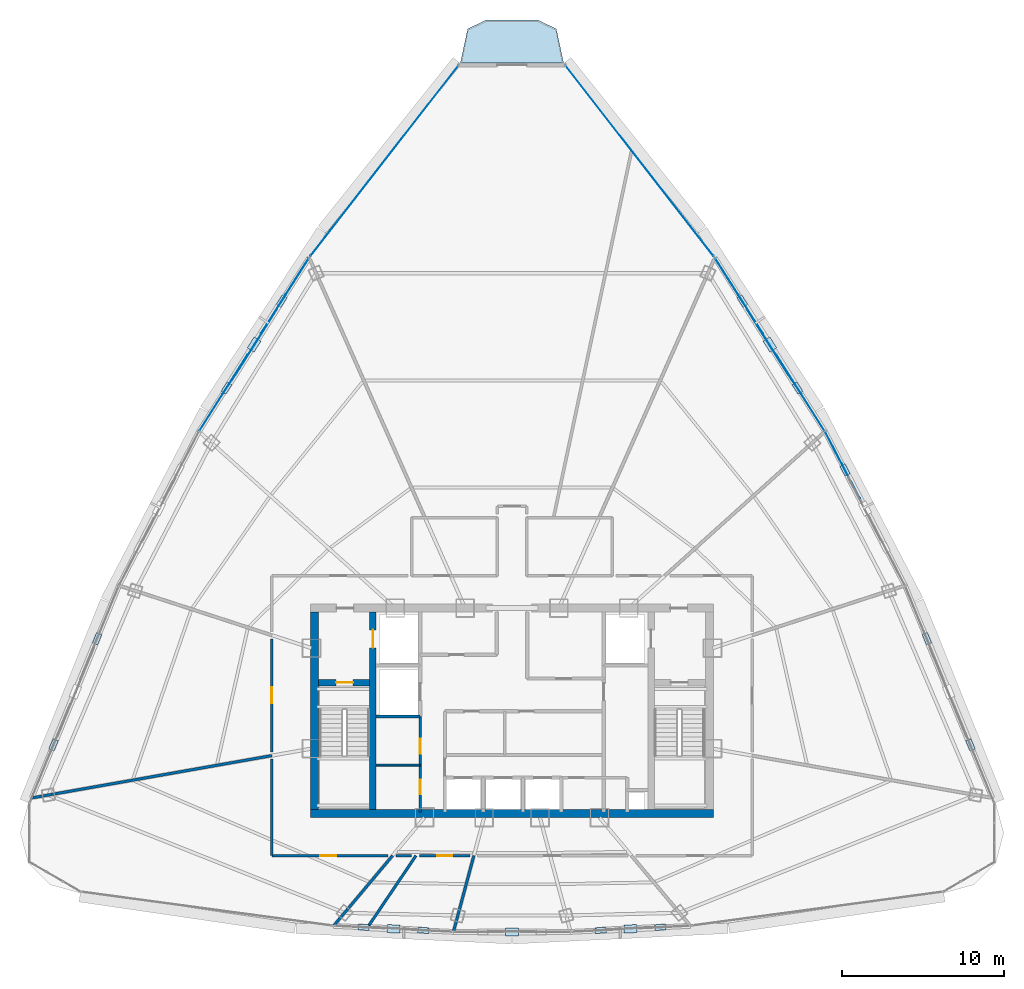
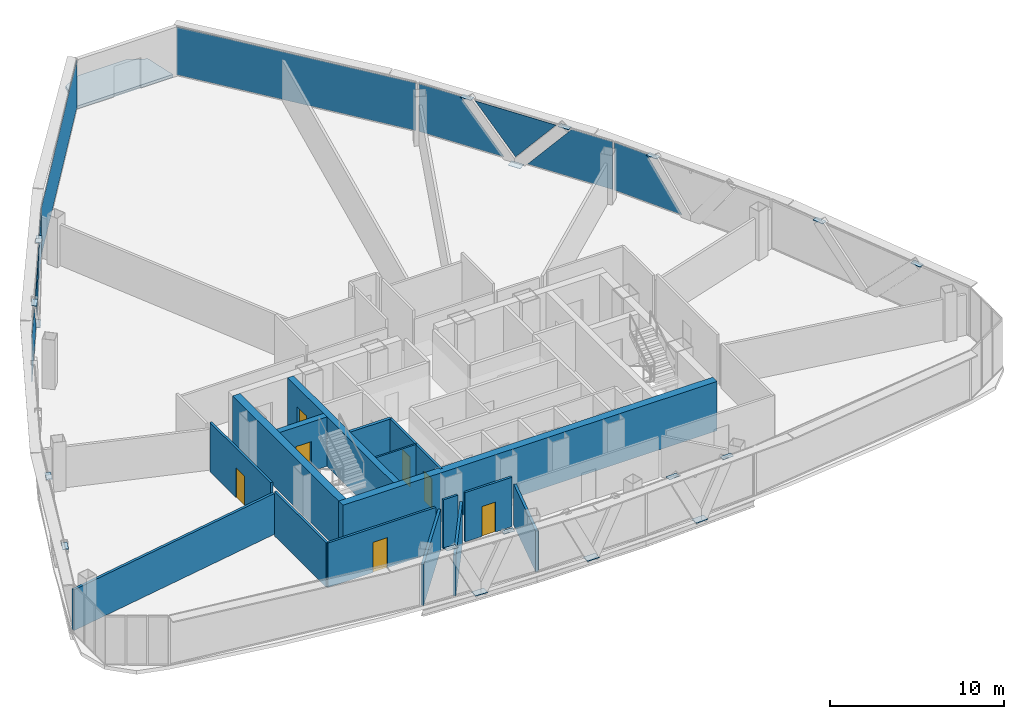
# One storey, part 28 of 33: 27 plates, 16 walls, 7 doors, 1 slab, 7 openings, 5 elements without a shape of their own.
"""IFC4 building model written with IfcOpenShell, lengths in metres."""

import ifcopenshell
import ifcopenshell.guid

model = None  # the IFC model being written
_history = None  # IfcOwnerHistory: only IFC2X3 demands one
_inside = {}  # id of a spatial element -> (the spatial element, [elements in it])
_under = {}  # id of a project, library or spatial element -> (it, [spatial elements below it])
_declared = {}  # id of a project -> (the project, [libraries it declares])
_typed = {}  # id of a type object -> (the type object, [elements of that type])
_made_of = {}  # id of a material, layer set ... -> (it, [elements and type objects made of it])


def new_model(schema):
    """Start an empty IFC model of exactly this schema.

    Asked for "IFC4X3", IfcOpenShell would pick the latest addendum, in which some entities
    have other attributes; the version numbers below select the first issue.
    IFC2X3 requires an IfcOwnerHistory on every rooted entity: one is made here for all.
    """
    global model, _history
    if schema == "IFC4X3":
        model = ifcopenshell.file(schema_version=(4, 3, 0, 0))
    else:
        model = ifcopenshell.file(schema=schema)
    _inside.clear()
    _under.clear()
    _declared.clear()
    _typed.clear()
    _made_of.clear()
    _history = None
    if model.schema == "IFC2X3":
        org = make("IfcOrganization", Name="unknown")
        user = make(
            "IfcPersonAndOrganization",
            ThePerson=make("IfcPerson", FamilyName="unknown"),
            TheOrganization=org,
        )
        app = make(
            "IfcApplication",
            ApplicationDeveloper=org,
            Version="unknown",
            ApplicationFullName="unknown",
            ApplicationIdentifier="unknown",
        )
        _history = make(
            "IfcOwnerHistory",
            OwningUser=user,
            OwningApplication=app,
            ChangeAction="ADDED",
            CreationDate=0,
        )
    return model


def make(cls, **values):
    """One entity of the class cls with the attributes given. An attribute that is None is left unset."""
    return model.create_entity(
        cls, **{name: value for name, value in values.items() if value is not None}
    )


def rooted(cls, **values):
    """An entity with a GlobalId (a new one), such as an element, a storey or a relation."""
    return make(cls, GlobalId=ifcopenshell.guid.new(), OwnerHistory=_history, **values)


def si_unit(unit_type, name, prefix=None):
    """IfcSIUnit, for example si_unit("LENGTHUNIT", "METRE", prefix="MILLI")."""
    return make("IfcSIUnit", UnitType=unit_type, Prefix=prefix, Name=name)


def assignment(units):
    """IfcUnitAssignment: the units of a project."""
    return None if units is None else make("IfcUnitAssignment", Units=units)


def point(xyz):
    """IfcCartesianPoint."""
    return None if xyz is None else make("IfcCartesianPoint", Coordinates=xyz)


def direction(xyz):
    """IfcDirection."""
    return None if xyz is None else make("IfcDirection", DirectionRatios=xyz)


def frame(location, z_axis=None, x_axis=None):
    """IfcAxis2Placement3D, a coordinate frame: its origin and axes. An axis left out is left unset."""
    return make(
        "IfcAxis2Placement3D",
        Location=point(location),
        Axis=direction(z_axis),
        RefDirection=direction(x_axis),
    )


def frame_2d(location, x_axis=None):
    """IfcAxis2Placement2D, a coordinate frame in the plane: its origin and x axis."""
    return make(
        "IfcAxis2Placement2D", Location=point(location), RefDirection=direction(x_axis)
    )


def origin():
    """The frame at (0, 0, 0) with its axes left unset."""
    return frame((0.0, 0.0, 0.0))


def origin_with_axes():
    """The frame at (0, 0, 0) with the z axis (0, 0, 1) and the x axis (1, 0, 0) written out."""
    return frame((0.0, 0.0, 0.0), z_axis=(0.0, 0.0, 1.0), x_axis=(1.0, 0.0, 0.0))


def origin_2d():
    """The frame at (0, 0) in the plane with its x axis left unset."""
    return frame_2d((0.0, 0.0))


def place(relative_to, where):
    """IfcLocalPlacement: puts the frame where relative to a parent placement (None: the world)."""
    return make(
        "IfcLocalPlacement", PlacementRelTo=relative_to, RelativePlacement=where
    )


def context(
    kind, dimensions, precision=None, world=None, true_north=None, identifier=None
):
    """IfcGeometricRepresentationContext, for example the 3D "Model" context."""
    return make(
        "IfcGeometricRepresentationContext",
        ContextIdentifier=identifier,
        ContextType=kind,
        CoordinateSpaceDimension=dimensions,
        Precision=precision,
        WorldCoordinateSystem=world,
        TrueNorth=true_north,
    )


def subcontext(parent, identifier, kind, view, scale=None):
    """IfcGeometricRepresentationSubContext, for example "Body" below "Model"."""
    return make(
        "IfcGeometricRepresentationSubContext",
        ContextIdentifier=identifier,
        ContextType=kind,
        ParentContext=parent,
        TargetScale=scale,
        TargetView=view,
    )


def project(units=None, contexts=None):
    """IfcProject with its units and contexts."""
    return rooted(
        "IfcProject",
        Name="project",
        RepresentationContexts=contexts,
        UnitsInContext=assignment(units),
    )


def spatial(cls, under=None, at=None, **own):
    """A site, building, storey or space (cls), placed at a placement, below another one or the project."""
    s = rooted(cls, ObjectPlacement=at, **own)
    if under is not None:
        _under.setdefault(under.id(), (under, []))[1].append(s)
    return s


def polyline(points):
    """IfcPolyline through the points."""
    return make("IfcPolyline", Points=[point(p) for p in points])


def profile(cls, at=None, kind="AREA", **sizes):
    """A parametric profile (cls). Its sizes go by their IFC names, for example OverallWidth=200.0."""
    return make(cls, ProfileType=kind, Position=at, **sizes)


def rectangle(**sizes):
    """IfcRectangleProfileDef."""
    return profile("IfcRectangleProfileDef", **sizes)


def outline(outer, holes=None, kind="AREA"):
    """IfcArbitraryClosedProfileDef: a profile drawn as a closed curve; with holes, ...WithVoids."""
    if holes is None:
        return make("IfcArbitraryClosedProfileDef", ProfileType=kind, OuterCurve=outer)
    return make(
        "IfcArbitraryProfileDefWithVoids",
        ProfileType=kind,
        OuterCurve=outer,
        InnerCurves=holes,
    )


def extrude(swept, where, along, depth):
    """IfcExtrudedAreaSolid: the profile swept, set in the frame where, extruded along a direction by depth."""
    return make(
        "IfcExtrudedAreaSolid",
        SweptArea=swept,
        Position=where,
        ExtrudedDirection=direction(along),
        Depth=depth,
    )


def shape(context_of_items, identifier, shape_type, items):
    """IfcShapeRepresentation: the items that make up one representation, for example the "Body"."""
    return make(
        "IfcShapeRepresentation",
        ContextOfItems=context_of_items,
        RepresentationIdentifier=identifier,
        RepresentationType=shape_type,
        Items=items,
    )


def source(mapping_origin, context_of_items, identifier, shape_type, items):
    """IfcRepresentationMap: a shape defined once, which mapped items show again and again."""
    return make(
        "IfcRepresentationMap",
        MappingOrigin=mapping_origin,
        MappedRepresentation=shape(context_of_items, identifier, shape_type, items),
    )


def transform(
    local_origin,
    x_axis=None,
    y_axis=None,
    z_axis=None,
    scale=None,
    scale2=None,
    scale3=None,
    uniform=True,
):
    """IfcCartesianTransformationOperator3D, or its non-uniform kind. x_axis, y_axis, z_axis: its Axis1, 2, 3."""
    if uniform:
        return make(
            "IfcCartesianTransformationOperator3D",
            Axis1=direction(x_axis),
            Axis2=direction(y_axis),
            LocalOrigin=point(local_origin),
            Scale=scale,
            Axis3=direction(z_axis),
        )
    return make(
        "IfcCartesianTransformationOperator3DnonUniform",
        Axis1=direction(x_axis),
        Axis2=direction(y_axis),
        LocalOrigin=point(local_origin),
        Scale=scale,
        Axis3=direction(z_axis),
        Scale2=scale2,
        Scale3=scale3,
    )


def mapped(mapping_source, mapping_target):
    """IfcMappedItem: shows the shape of a source again, moved by a transform."""
    return make(
        "IfcMappedItem", MappingSource=mapping_source, MappingTarget=mapping_target
    )


def material(Name=None, Category=None):
    """IfcMaterial."""
    return make("IfcMaterial", Name=Name, Category=Category)


def layer(
    of_material, thickness, ventilated=None, Name=None, Category=None, Priority=None
):
    """IfcMaterialLayer: one layer of a wall or slab, of a material (None: an air gap)."""
    return make(
        "IfcMaterialLayer",
        Material=of_material,
        LayerThickness=thickness,
        IsVentilated=ventilated,
        Name=Name,
        Category=Category,
        Priority=Priority,
    )


def layer_set(layers, Name=None):
    """IfcMaterialLayerSet."""
    return make("IfcMaterialLayerSet", MaterialLayers=layers, LayerSetName=Name)


def made_of(thing, what):
    """Note that an element or type object is made of a material, layer set ...; save() writes the relation."""
    if what is not None:
        _made_of.setdefault(what.id(), (what, []))[1].append(thing)
    return thing


def type_object(cls, material=None, **own):
    """A type object (cls), such as IfcWallType, which elements share."""
    return made_of(rooted(cls, **own), material)


def element(
    cls,
    number,
    at=None,
    inside=None,
    cuts=None,
    type_object=None,
    material=None,
    context=None,
    identifier="Body",
    shape_type=None,
    held_by="IfcProductDefinitionShape",
    body=None,
    shapes=None,
    **own,
):
    """One element of the class cls, such as IfcWall. Its Tag is "e" and its number.

    at: its placement. inside: the storey or other place that contains it. cuts: it is an
    opening in that element (IfcRelVoidsElement). A single representation is given by context,
    identifier, shape_type and body (its items); several are given by shapes. held_by: the class
    of the entity that holds the representations. save() writes the other relations.
    """
    e = rooted(cls, Tag="e%d" % number, ObjectPlacement=at, **own)
    if body is not None:
        shapes = [shape(context, identifier, shape_type, body)]
    if shapes is not None:
        e.Representation = make(held_by, Representations=shapes)
    if inside is not None:
        _inside.setdefault(inside.id(), (inside, []))[1].append(e)
    if cuts is not None:
        rooted(
            "IfcRelVoidsElement", RelatingBuildingElement=cuts, RelatedOpeningElement=e
        )
    if type_object is not None:
        _typed.setdefault(type_object.id(), (type_object, []))[1].append(e)
    return made_of(e, material)


def fill(opening, filler):
    """IfcRelFillsElement: the door or window that sits in an opening."""
    return rooted(
        "IfcRelFillsElement",
        RelatingOpeningElement=opening,
        RelatedBuildingElement=filler,
    )


def aggregate(whole, parts):
    """IfcRelAggregates: a whole, such as a stair, and the parts it consists of."""
    return rooted("IfcRelAggregates", RelatingObject=whole, RelatedObjects=parts)


def save(model, path):
    """Write the relations noted so far, then the file.

    IfcRelAggregates (storeys below a building ...), IfcRelContainedInSpatialStructure (elements
    in a storey), IfcRelDefinesByType, IfcRelAssociatesMaterial and IfcRelDeclares: one each for
    every whole, place, type object, material and project.
    """
    for whole, parts in _under.values():
        aggregate(whole, parts)
    for where, things in _inside.values():
        rooted(
            "IfcRelContainedInSpatialStructure",
            RelatedElements=things,
            RelatingStructure=where,
        )
    for kind, things in _typed.values():
        rooted("IfcRelDefinesByType", RelatedObjects=things, RelatingType=kind)
    for what, things in _made_of.values():
        rooted("IfcRelAssociatesMaterial", RelatedObjects=things, RelatingMaterial=what)
    for by, libraries in _declared.values():
        rooted("IfcRelDeclares", RelatingContext=by, RelatedDefinitions=libraries)
    model.write(path)


model = new_model("IFC4")

# Units and contexts
model_context = context("Model", 3, precision=1e-05, world=origin(), true_north=direction((0.0, 1.0)))
body_context = subcontext(model_context, "Body", "Model", "MODEL_VIEW")
ifc_project = project(units=[si_unit("LENGTHUNIT", "METRE"), si_unit("AREAUNIT", "SQUARE_METRE"), si_unit("VOLUMEUNIT", "CUBIC_METRE"), si_unit("PLANEANGLEUNIT", "RADIAN"), si_unit("MASSUNIT", "GRAM", prefix="KILO"), si_unit("THERMODYNAMICTEMPERATUREUNIT", "KELVIN"), si_unit("POWERUNIT", "WATT")], contexts=[model_context])

# Site, building, storey
site_placement = place(None, origin())
site = spatial("IfcSite", under=ifc_project, at=site_placement, CompositionType="ELEMENT")
building_placement = place(site_placement, origin())
building = spatial("IfcBuilding", under=site, at=building_placement, Name="Yunzhuo Pagoda Commons", CompositionType="ELEMENT")
storey_placement = place(building_placement, frame((0.0, 0.0, 311.1298828125)))
storey = spatial("IfcBuildingStorey", under=building, at=storey_placement, Name="L78", CompositionType="ELEMENT", Elevation=311.1298828125)

# Curtain wall, plate
ifc_material_1 = material(Name="Anodized aluminium 6063-T6", Category="aluminium")
ifc_layer_1 = layer(ifc_material_1, 0.139892578125)
ifc_layer_set_1 = layer_set([ifc_layer_1], Name="Anodized aluminium 6063-T6")
curtain_wall_type = type_object("IfcCurtainWallType", Name="CW-HI High-Zone Ribbon Curtain Wall", PredefinedType="NOTDEFINED", material=ifc_layer_set_1)
curtain_wall_1_placement = place(storey_placement, origin())
curtain_wall_1 = element("IfcCurtainWall", 1, at=curtain_wall_1_placement, inside=storey, type_object=curtain_wall_type, Name="L78 curtain wall CW-L78-F2B3", PredefinedType="NOTDEFINED")
ifc_material_2 = material(Name="Tempered low-e double glazing", Category="glass")
ifc_layer_2 = layer(ifc_material_2, 0.02587890625)
ifc_layer_set_2 = layer_set([ifc_layer_2], Name="Tempered low-e double glazing")
plate_type_1 = type_object("IfcPlateType", Name="CW-HI-P Low-E Double Glazing 26", PredefinedType="CURTAIN_PANEL", material=ifc_layer_set_2)
plate_1_placement = place(storey_placement, frame((68.431640625, 49.018798828125, 1.735107421875), z_axis=(0.887531158433, 0.460747699735, 0.0), x_axis=(-0.460747699735, 0.887531158433, 0.0)))
plate_1 = element("IfcPlate", 2, at=plate_1_placement, type_object=plate_type_1, Name="CW panel 1.1 lite 3", PredefinedType="CURTAIN_PANEL", context=body_context, shape_type="SweptSolid", body=[
    extrude(outline(polyline([(-2.306884765625, -1.679931640625), (2.306884765625, -1.679931640625), (2.306884765625, 1.679931640625), (0.111083984375, 1.679931640625), (-2.306884765625, -1.679931640625)])), origin(), (0.0, 0.0, 1.0), 0.028076171875),
])
aggregate(curtain_wall_1, [plate_1])

# Curtain wall, plates
curtain_wall_2_placement = place(storey_placement, origin())
curtain_wall_2 = element("IfcCurtainWall", 3, at=curtain_wall_2_placement, inside=storey, type_object=curtain_wall_type, Name="L78 curtain wall CW-L78-F2B4", PredefinedType="NOTDEFINED")
plate_2_placement = place(storey_placement, frame((65.828125, 53.505126953125, 1.735107421875), z_axis=(0.844512740935, 0.535535461383, 0.0), x_axis=(-0.535535461383, 0.844512740935, 0.0)))
plate_2 = element("IfcPlate", 4, at=plate_2_placement, type_object=plate_type_1, Name="CW panel 1.1 lite 1", PredefinedType="CURTAIN_PANEL", context=body_context, shape_type="SweptSolid", body=[
    extrude(outline(polyline([(-2.76611328125, -1.679931640625), (2.76611328125, -1.679931640625), (-0.098388671875, 1.679931640625), (-2.76611328125, 1.679931640625), (-2.76611328125, -1.679931640625)])), origin(), (0.0, 0.0, 1.0), 0.028076171875),
])
plate_3_placement = place(storey_placement, frame((63.91015625, 56.4736328125, 1.87060546875), z_axis=(0.844512740935, 0.535535461383, 0.0), x_axis=(-0.535535461383, 0.844512740935, 0.0)))
plate_3 = element("IfcPlate", 5, at=plate_3_placement, type_object=plate_type_1, Name="CW panel 1.1 lite 2", PredefinedType="CURTAIN_PANEL", context=body_context, shape_type="SweptSolid", body=[
    extrude(outline(polyline([(-2.6337890625, 1.544677734375), (0.0, -1.544677734375), (2.6337890625, 1.544677734375), (-2.6337890625, 1.544677734375)])), origin(), (0.0, 0.0, 1.0), 0.028076171875),
])
plate_4_placement = place(storey_placement, frame((62.04296875, 59.47412109375, 1.735107421875), z_axis=(0.844512740935, 0.535535461383, 0.0), x_axis=(-0.535535461383, 0.844512740935, 0.0)))
plate_4 = element("IfcPlate", 6, at=plate_4_placement, type_object=plate_type_1, Name="CW panel 1.1 lite 3", PredefinedType="CURTAIN_PANEL", context=body_context, shape_type="SweptSolid", body=[
    extrude(outline(polyline([(-2.76611328125, -1.679931640625), (2.76611328125, -1.679931640625), (2.76611328125, 1.679931640625), (0.098388671875, 1.679931640625), (-2.76611328125, -1.679931640625)])), origin(), (0.0, 0.0, 1.0), 0.028076171875),
])
aggregate(curtain_wall_2, [plate_2, plate_3, plate_4])

curtain_wall_3_placement = place(storey_placement, origin())
curtain_wall_3 = element("IfcCurtainWall", 7, at=curtain_wall_3_placement, inside=storey, type_object=curtain_wall_type, Name="L78 curtain wall CW-L78-F3B2", PredefinedType="NOTDEFINED")
plate_5_placement = place(storey_placement, frame((33.95703125, 59.47412109375, 1.735107421875), z_axis=(-0.844512740935, 0.535535461383, 0.0), x_axis=(-0.535535461383, -0.844512740935, 0.0)))
plate_5 = element("IfcPlate", 8, at=plate_5_placement, type_object=plate_type_1, Name="CW panel 1.1 lite 1", PredefinedType="CURTAIN_PANEL", context=body_context, shape_type="SweptSolid", body=[
    extrude(outline(polyline([(-2.76611328125, -1.679931640625), (2.76611328125, -1.679931640625), (-0.098388671875, 1.679931640625), (-2.76611328125, 1.679931640625), (-2.76611328125, -1.679931640625)])), origin(), (0.0, 0.0, 1.0), 0.028076171875),
])
plate_6_placement = place(storey_placement, frame((32.08984375, 56.4736328125, 1.87060546875), z_axis=(-0.844512740935, 0.535535461383, 0.0), x_axis=(-0.535535461383, -0.844512740935, 0.0)))
plate_6 = element("IfcPlate", 9, at=plate_6_placement, type_object=plate_type_1, Name="CW panel 1.1 lite 2", PredefinedType="CURTAIN_PANEL", context=body_context, shape_type="SweptSolid", body=[
    extrude(outline(polyline([(-2.6337890625, 1.544677734375), (0.0, -1.544677734375), (2.6337890625, 1.544677734375), (-2.6337890625, 1.544677734375)])), origin(), (0.0, 0.0, 1.0), 0.028076171875),
])
plate_7_placement = place(storey_placement, frame((30.171875, 53.505126953125, 1.735107421875), z_axis=(-0.844512740935, 0.535535461383, 0.0), x_axis=(-0.535535461383, -0.844512740935, 0.0)))
plate_7 = element("IfcPlate", 10, at=plate_7_placement, type_object=plate_type_1, Name="CW panel 1.1 lite 3", PredefinedType="CURTAIN_PANEL", context=body_context, shape_type="SweptSolid", body=[
    extrude(outline(polyline([(-2.76611328125, -1.679931640625), (2.76611328125, -1.679931640625), (2.76611328125, 1.679931640625), (0.098388671875, 1.679931640625), (-2.76611328125, -1.679931640625)])), origin(), (0.0, 0.0, 1.0), 0.028076171875),
])
aggregate(curtain_wall_3, [plate_5, plate_6, plate_7])

# Slab
ifc_material_3 = material(Name="Concrete C40", Category="concrete")
ifc_layer_3 = layer(ifc_material_3, 0.199951171875)
ifc_layer_set_3 = layer_set([ifc_layer_3], Name="Concrete C40")
slab_type = type_object("IfcSlabType", Name="SL-BAL Vertex Balcony Deck Slab 200", PredefinedType="FLOOR", material=ifc_layer_set_3)
slab_placement = place(storey_placement, frame((0.0, 0.0, -0.199951171875)))
element("IfcSlab", 11, at=slab_placement, inside=storey, type_object=slab_type, Name="L78 corner balcony V3", PredefinedType="FLOOR", context=body_context, shape_type="SweptSolid", body=[
    extrude(outline(polyline([(51.190673828125, 73.9208984375), (44.809326171875, 73.9208984375), (45.25927734375, 76.015869140625), (46.40478515625, 76.56591796875), (49.59521484375, 76.56591796875), (50.74072265625, 76.015869140625), (51.190673828125, 73.9208984375)])), origin(), (0.0, 0.0, 1.0), 0.199951171875),
])

# Plates
ifc_material_4 = material(Name="Structural steel Q355B", Category="steel")
ifc_layer_4 = layer(ifc_material_4, 0.028076171875)
ifc_layer_set_4 = layer_set([ifc_layer_4], Name="Structural steel Q355B")
plate_type_2 = type_object("IfcPlateType", Name="SP-ND1 Lattice Node Cap Plate 800x500x28", PredefinedType="USERDEFINED", material=ifc_layer_set_4)
shared_shape_1 = source(origin(), body_context, "Body", "SweptSolid", [
    extrude(rectangle(XDim=0.800048828125, YDim=0.5, at=origin_2d()), origin(), (0.0, 0.0, 1.0), 0.028076171875),
])
for number, where, z_axis, x_axis, name in (
    (12, (40.6748046875, 20.369384765625, -0.27392578125), (0.0, 0.0, 1.0), (0.998714053628, -0.050697525446, 0.0), "L78 diamond node plate F1.1A"),
    (13, (48.0, 20.181396484375, -0.27392578125), (0.0, 0.0, 1.0), (1.0, 0.0, 0.0), "L78 diamond node plate F1.2A"),
    (14, (55.3251953125, 20.369384765625, -0.27392578125), (0.0, 0.0, 1.0), (0.998714053628, 0.050697525446, 0.0), "L78 diamond node plate F1.3A"),
    (15, (63.947509765625, 56.497314453125, -0.27392578125), (0.0, 0.0, 1.0), (-0.535532036295, 0.844514912895, 0.0), "L78 diamond node plate F2.3A"),
    (16, (32.052490234375, 56.497314453125, -0.27392578125), (0.0, 0.0, 1.0), (-0.535532036295, -0.844514912895, 0.0), "L78 diamond node plate F3.1A"),
):
    element("IfcPlate", number, at=place(storey_placement, frame(where, z_axis=z_axis, x_axis=x_axis)), inside=storey, type_object=plate_type_2, Name=name, ObjectType="STIFFENER_PLATE", PredefinedType="USERDEFINED", context=body_context, shape_type="MappedRepresentation", body=[
        mapped(shared_shape_1, transform((0.0, 0.0, 0.0), scale=1.0)),
    ])
shared_shape_2 = source(origin(), body_context, "Body", "SweptSolid", [
    extrude(rectangle(XDim=0.699951171875, YDim=0.35009765625, at=origin_2d()), origin(), (0.0, 0.0, 1.0), 0.035888671875),
])
for number, where, z_axis, x_axis, name in (
    (17, (38.8232421875, 20.463134765625, 3.43212890625), (0.0, 0.0, 1.0), (0.998714053628, -0.050697525446, 0.0), "L78 setback lattice tie plate F1.1L"),
    (18, (42.526123046875, 20.275390625, 3.43212890625), (0.0, 0.0, 1.0), (0.998714053628, -0.050697525446, 0.0), "L78 setback lattice tie plate F1.1R"),
    (19, (53.473876953125, 20.275390625, 3.43212890625), (0.0, 0.0, 1.0), (0.998714053628, 0.050697525446, 0.0), "L78 setback lattice tie plate F1.3L"),
    (20, (57.1767578125, 20.463134765625, 3.43212890625), (0.0, 0.0, 1.0), (0.998714053628, 0.050697525446, 0.0), "L78 setback lattice tie plate F1.3R"),
    (21, (76.34716796875, 31.746826171875, 3.43212890625), (0.0, 0.0, 1.0), (-0.379988979105, 0.92499101388, 0.0), "L78 setback lattice tie plate F2.1L"),
    (22, (73.649658203125, 38.31298828125, 3.43212890625), (0.0, 0.0, 1.0), (-0.379988979105, 0.92499101388, 0.0), "L78 setback lattice tie plate F2.1R"),
    (23, (68.590576171875, 48.743408203125, 3.43212890625), (0.0, 0.0, 1.0), (-0.460742034444, 0.887534099456, 0.0), "L78 setback lattice tie plate F2.2R"),
    (24, (65.650390625, 53.8115234375, 3.43212890625), (0.0, 0.0, 1.0), (-0.535532036295, 0.844514912895, 0.0), "L78 setback lattice tie plate F2.3L"),
    (25, (62.244384765625, 59.182861328125, 3.43212890625), (0.0, 0.0, 1.0), (-0.535532036295, 0.844514912895, 0.0), "L78 setback lattice tie plate F2.3R"),
    (26, (33.755615234375, 59.182861328125, 3.43212890625), (0.0, 0.0, 1.0), (-0.535532036295, -0.844514912895, 0.0), "L78 setback lattice tie plate F3.1L"),
    (27, (30.349365234375, 53.8115234375, 3.43212890625), (0.0, 0.0, 1.0), (-0.535532036295, -0.844514912895, 0.0), "L78 setback lattice tie plate F3.1R"),
    (28, (22.350341796875, 38.31298828125, 3.43212890625), (0.0, 0.0, 1.0), (-0.379988979105, -0.92499101388, 0.0), "L78 setback lattice tie plate F3.3L"),
    (29, (19.65283203125, 31.746826171875, 3.43212890625), (0.0, 0.0, 1.0), (-0.379988979105, -0.92499101388, 0.0), "L78 setback lattice tie plate F3.3R"),
):
    element("IfcPlate", number, at=place(storey_placement, frame(where, z_axis=z_axis, x_axis=x_axis)), inside=storey, type_object=plate_type_2, Name=name, ObjectType="STIFFENER_PLATE", PredefinedType="USERDEFINED", context=body_context, shape_type="MappedRepresentation", body=[
        mapped(shared_shape_2, transform((0.0, 0.0, 0.0), scale=1.0)),
    ])

# Curtain wall, plate
curtain_wall_4_placement = place(storey_placement, origin())
curtain_wall_4 = element("IfcCurtainWall", 30, at=curtain_wall_4_placement, inside=storey, type_object=curtain_wall_type, Name="L78 curtain wall CW-L78-F2B5", PredefinedType="NOTDEFINED")
shared_shape_3 = source(origin(), body_context, "Body", "SweptSolid", [
    extrude(rectangle(XDim=14.89453125, YDim=0.028076171875, at=origin_2d()), origin(), (0.0, 0.0, 1.0), 3.360107421875),
])
plate_8_placement = place(storey_placement, frame((55.890625, 67.856689453125, 0.05517578125), z_axis=(0.0, 0.0, 1.0), x_axis=(-0.61338669039, 0.789782734714, 0.0)))
plate_8 = element("IfcPlate", 31, at=plate_8_placement, type_object=plate_type_1, Name="CW panel 1.1", PredefinedType="CURTAIN_PANEL", context=body_context, shape_type="MappedRepresentation", body=[
    mapped(shared_shape_3, transform((0.0, 0.0, 0.0), scale=1.0)),
])
aggregate(curtain_wall_4, [plate_8])

curtain_wall_5_placement = place(storey_placement, origin())
curtain_wall_5 = element("IfcCurtainWall", 32, at=curtain_wall_5_placement, inside=storey, type_object=curtain_wall_type, Name="L78 curtain wall CW-L78-F3B1", PredefinedType="NOTDEFINED")
plate_9_placement = place(storey_placement, frame((40.109375, 67.856689453125, 0.05517578125), z_axis=(0.0, 0.0, 1.0), x_axis=(-0.61338669039, -0.789782734714, 0.0)))
plate_9 = element("IfcPlate", 33, at=plate_9_placement, type_object=plate_type_1, Name="CW panel 1.1", PredefinedType="CURTAIN_PANEL", context=body_context, shape_type="MappedRepresentation", body=[
    mapped(shared_shape_3, transform((0.0, 0.0, 0.0), scale=1.0)),
])
aggregate(curtain_wall_5, [plate_9])

# Walls
ifc_material_5 = material(Name="Concrete C50", Category="concrete")
ifc_layer_5 = layer(ifc_material_5, 0.5)
ifc_layer_set_5 = layer_set([ifc_layer_5], Name="Concrete C50")
wall_type_1 = type_object("IfcWallType", Name="W-C03 Upper Core Shear Wall 500", PredefinedType="SHEAR", material=ifc_layer_set_5)
wall_1_placement = place(storey_placement, frame((35.550048828125, 27.5, 0.0), z_axis=(0.0, 0.0, 1.0), x_axis=(1.0, 0.0, 0.0)))
element("IfcWall", 34, at=wall_1_placement, inside=storey, type_object=wall_type_1, Name="L78 core shear wall S", PredefinedType="SHEAR", context=body_context, shape_type="SweptSolid", body=[
    extrude(rectangle(XDim=24.89990234375, YDim=0.5, at=frame_2d((12.449951171875, 0.0))), origin(), (0.0, 0.0, 1.0), 3.47021484375),
])
wall_2_placement = place(storey_placement, frame((35.800048828125, 27.75, 0.0), z_axis=(0.0, 0.0, 1.0), x_axis=(0.0, 1.0, 0.0)))
element("IfcWall", 35, at=wall_2_placement, inside=storey, type_object=wall_type_1, Name="L78 core shear wall W", PredefinedType="SHEAR", context=body_context, shape_type="SweptSolid", body=[
    extrude(rectangle(XDim=12.199951171875, YDim=0.5, at=frame_2d((6.10009765625, 0.0))), origin(), (0.0, 0.0, 1.0), 3.47021484375),
])

# Wall, openings, doors
ifc_material_6 = material(Name="Gypsum plasterboard on acoustic stud")
ifc_layer_6 = layer(ifc_material_6, 0.14990234375)
ifc_layer_set_6 = layer_set([ifc_layer_6], Name="Gypsum plasterboard on acoustic stud")
wall_type_2 = type_object("IfcWallType", Name="W-COR3 High-Zone Rated Corridor Wall 150", PredefinedType="PARTITIONING", material=ifc_layer_set_6)
wall_3_placement = place(storey_placement, frame((42.320068359375, 27.60009765625, 0.0), z_axis=(0.0, 0.0, 1.0), x_axis=(0.0, 1.0, 0.0)))
wall_3 = element("IfcWall", 36, at=wall_3_placement, inside=storey, type_object=wall_type_2, Name="L78 interior wall IW-L78-CSWE", PredefinedType="PARTITIONING", context=body_context, shape_type="SweptSolid", body=[
    extrude(rectangle(XDim=5.89990234375, YDim=0.14990234375, at=frame_2d((2.949951171875, 0.0))), origin(), (0.0, 0.0, 1.0), 3.47021484375),
])
opening_1_placement = place(wall_3_placement, frame((1.10009765625, 0.0, 0.0)))
opening_1 = element("IfcOpeningElement", 37, at=opening_1_placement, cuts=wall_3, Name="Opening D-03", PredefinedType="OPENING", context=body_context, shape_type="SweptSolid", body=[
    extrude(rectangle(XDim=0.89990234375, YDim=2.10009765625, at=frame_2d((0.449951171875, 1.050048828125))), frame((0.0, 0.0849609375, 0.0), z_axis=(0.0, -1.0, 0.0), x_axis=(1.0, 0.0, 0.0)), (0.0, 0.0, 1.0), 0.169921875),
])
opening_2_placement = place(wall_3_placement, frame((3.60009765625, 0.0, 0.0)))
opening_2 = element("IfcOpeningElement", 38, at=opening_2_placement, cuts=wall_3, Name="Opening D-11", PredefinedType="OPENING", context=body_context, shape_type="SweptSolid", body=[
    extrude(rectangle(XDim=0.93994140625, YDim=2.10009765625, at=frame_2d((0.469970703125, 1.050048828125))), frame((0.0, 0.0849609375, 0.0), z_axis=(0.0, -1.0, 0.0), x_axis=(1.0, 0.0, 0.0)), (0.0, 0.0, 1.0), 0.169921875),
])
ifc_material_7 = material(Name="Galvanized fire-resisting metal leaf")
door_type_1 = type_object("IfcDoorType", Name="D-03 Core Service Fire Door 900x2100", OperationType="NOTDEFINED", PredefinedType="DOOR", material=ifc_material_7)
shared_shape_4 = source(origin(), body_context, "Body", "SweptSolid", [
    extrude(rectangle(XDim=0.89990234375, YDim=2.10009765625, at=frame_2d((0.449951171875, 1.050048828125))), frame((0.0, 0.02490234375, 0.0), z_axis=(0.0, -1.0, 0.0), x_axis=(1.0, 0.0, 0.0)), (0.0, 0.0, 1.0), 0.050048828125),
])
door_1_placement = place(opening_1_placement, origin_with_axes())
door_1 = element("IfcDoor", 39, at=door_1_placement, inside=storey, type_object=door_type_1, Name="L78 housekeeping door", OperationType="SINGLE_SWING_RIGHT", OverallHeight=2.10009765625, OverallWidth=0.89990234375, PredefinedType="DOOR", context=body_context, shape_type="MappedRepresentation", body=[
    mapped(shared_shape_4, transform((0.0, 0.0, 0.0), scale=1.0)),
])
fill(opening_1, door_1)
door_type_2 = type_object("IfcDoorType", Name="D-11 Accessible Washroom Fire Door 940x2100", OperationType="NOTDEFINED", PredefinedType="DOOR", material=ifc_material_7)
shared_shape_5 = source(origin(), body_context, "Body", "SweptSolid", [
    extrude(rectangle(XDim=0.93994140625, YDim=2.10009765625, at=frame_2d((0.469970703125, 1.050048828125))), frame((0.0, 0.02490234375, 0.0), z_axis=(0.0, -1.0, 0.0), x_axis=(1.0, 0.0, 0.0)), (0.0, 0.0, 1.0), 0.050048828125),
])
door_2_placement = place(opening_2_placement, origin_with_axes())
door_2 = element("IfcDoor", 40, at=door_2_placement, inside=storey, type_object=door_type_2, Name="L78 core WC door", OperationType="SINGLE_SWING_RIGHT", OverallHeight=2.10009765625, OverallWidth=0.93994140625, PredefinedType="DOOR", context=body_context, shape_type="MappedRepresentation", body=[
    mapped(shared_shape_5, transform((0.0, 0.0, 0.0), scale=1.0)),
])
fill(opening_2, door_2)

# Wall
wall_4_placement = place(storey_placement, frame((33.14990234375, 24.89990234375, 0.0), z_axis=(0.0, 0.0, 1.0), x_axis=(0.0, 1.0, 0.0)))
element("IfcWall", 41, at=wall_4_placement, inside=storey, type_object=wall_type_2, Name="L78 interior wall IW-L78-CWL01", PredefinedType="PARTITIONING", context=body_context, shape_type="SweptSolid", body=[
    extrude(rectangle(XDim=5.958251953125, YDim=0.14990234375, at=frame_2d((2.97900390625, 0.0))), origin(), (0.0, 0.0, 1.0), 3.1201171875),
])

# Wall, opening, door
wall_5_placement = place(storey_placement, frame((33.14990234375, 31.30126953125, 0.0), z_axis=(0.0, 0.0, 1.0), x_axis=(0.0, 1.0, 0.0)))
wall_5 = element("IfcWall", 42, at=wall_5_placement, inside=storey, type_object=wall_type_2, Name="L78 interior wall IW-L78-CWL02", PredefinedType="PARTITIONING", context=body_context, shape_type="SweptSolid", body=[
    extrude(rectangle(XDim=7.004150390625, YDim=0.14990234375, at=frame_2d((3.501953125, 0.0))), origin(), (0.0, 0.0, 1.0), 3.47021484375),
])
opening_3_placement = place(wall_5_placement, frame((3.027099609375, 0.0, 0.0)))
opening_3 = element("IfcOpeningElement", 43, at=opening_3_placement, cuts=wall_5, Name="Opening D-08", PredefinedType="OPENING", context=body_context, shape_type="SweptSolid", body=[
    extrude(rectangle(XDim=0.97998046875, YDim=2.1201171875, at=frame_2d((0.489990234375, 1.06005859375))), frame((0.0, 0.0849609375, 0.0), z_axis=(0.0, -1.0, 0.0), x_axis=(1.0, 0.0, 0.0)), (0.0, 0.0, 1.0), 0.169921875),
])
door_type_3 = type_object("IfcDoorType", Name="D-08 High-Zone Suite Entrance Fire Door 980x2120", OperationType="NOTDEFINED", PredefinedType="DOOR", material=ifc_material_7)
shared_shape_6 = source(origin(), body_context, "Body", "SweptSolid", [
    extrude(rectangle(XDim=0.97998046875, YDim=2.1201171875, at=frame_2d((0.489990234375, 1.06005859375))), frame((0.0, 0.02490234375, 0.0), z_axis=(0.0, -1.0, 0.0), x_axis=(1.0, 0.0, 0.0)), (0.0, 0.0, 1.0), 0.050048828125),
])
door_3_placement = place(opening_3_placement, origin_with_axes())
door_3 = element("IfcDoor", 44, at=door_3_placement, inside=storey, type_object=door_type_3, Name="L78 unit 07 entrance door", OperationType="SINGLE_SWING_RIGHT", OverallHeight=2.1201171875, OverallWidth=0.97998046875, PredefinedType="DOOR", context=body_context, shape_type="MappedRepresentation", body=[
    mapped(shared_shape_6, transform((0.0, 0.0, 0.0), scale=1.0)),
])
fill(opening_3, door_3)

wall_6_placement = place(storey_placement, frame((45.414306640625, 24.89990234375, 0.0), z_axis=(0.0, 0.0, 1.0), x_axis=(-1.0, 0.0, 0.0)))
wall_6 = element("IfcWall", 45, at=wall_6_placement, inside=storey, type_object=wall_type_2, Name="L78 interior wall IW-L78-CWL15", PredefinedType="PARTITIONING", context=body_context, shape_type="SweptSolid", body=[
    extrude(rectangle(XDim=3.130126953125, YDim=0.14990234375, at=frame_2d((1.56494140625, 0.0))), origin(), (0.0, 0.0, 1.0), 3.47021484375),
])
opening_4_placement = place(wall_6_placement, frame((1.10107421875, 0.0, 0.0)))
opening_4 = element("IfcOpeningElement", 46, at=opening_4_placement, cuts=wall_6, Name="Opening D-04", PredefinedType="OPENING", context=body_context, shape_type="SweptSolid", body=[
    extrude(rectangle(XDim=0.919921875, YDim=2.10009765625, at=frame_2d((0.4599609375, 1.050048828125))), frame((0.0, 0.0849609375, 0.0), z_axis=(0.0, -1.0, 0.0), x_axis=(1.0, 0.0, 0.0)), (0.0, 0.0, 1.0), 0.169921875),
])
ifc_material_8 = material(Name="Powder-coated aluminium and timber acoustic leaf", Category="wood")
door_type_4 = type_object("IfcDoorType", Name="D-04 Bedroom & Study Interior Door 920x2100", OperationType="NOTDEFINED", PredefinedType="DOOR", material=ifc_material_8)
shared_shape_7 = source(origin(), body_context, "Body", "SweptSolid", [
    extrude(rectangle(XDim=0.919921875, YDim=2.10009765625, at=frame_2d((0.4599609375, 1.050048828125))), frame((0.0, 0.02490234375, 0.0), z_axis=(0.0, -1.0, 0.0), x_axis=(1.0, 0.0, 0.0)), (0.0, 0.0, 1.0), 0.050048828125),
])
door_4_placement = place(opening_4_placement, origin_with_axes())
door_4 = element("IfcDoor", 47, at=door_4_placement, inside=storey, type_object=door_type_4, Name="L78 fellow workroom 10 door", OperationType="SINGLE_SWING_LEFT", OverallHeight=2.10009765625, OverallWidth=0.919921875, PredefinedType="DOOR", context=body_context, shape_type="MappedRepresentation", body=[
    mapped(shared_shape_7, transform((0.0, 0.0, 0.0), scale=1.0)),
])
fill(opening_4, door_4)

# Wall
wall_7_placement = place(storey_placement, frame((41.798828125, 24.89990234375, 0.0), z_axis=(0.0, 0.0, 1.0), x_axis=(-1.0, 0.0, 0.0)))
element("IfcWall", 48, at=wall_7_placement, inside=storey, type_object=wall_type_2, Name="L78 interior wall IW-L78-CWL16", PredefinedType="PARTITIONING", context=body_context, shape_type="SweptSolid", body=[
    extrude(rectangle(XDim=0.963134765625, YDim=0.14990234375, at=frame_2d((0.4814453125, 0.0))), origin(), (0.0, 0.0, 1.0), 3.47021484375),
])

# Wall, opening, door
wall_8_placement = place(storey_placement, frame((40.32861328125, 24.89990234375, 0.0), z_axis=(0.0, 0.0, 1.0), x_axis=(-1.0, 0.0, 0.0)))
wall_8 = element("IfcWall", 49, at=wall_8_placement, inside=storey, type_object=wall_type_2, Name="L78 interior wall IW-L78-CWL17", PredefinedType="PARTITIONING", context=body_context, shape_type="SweptSolid", body=[
    extrude(rectangle(XDim=7.1787109375, YDim=0.14990234375, at=frame_2d((3.58935546875, 0.0))), origin(), (0.0, 0.0, 1.0), 3.1201171875),
])
opening_5_placement = place(wall_8_placement, frame((3.20068359375, 0.0, 0.0)))
opening_5 = element("IfcOpeningElement", 50, at=opening_5_placement, cuts=wall_8, Name="Opening D-08", PredefinedType="OPENING", context=body_context, shape_type="SweptSolid", body=[
    extrude(rectangle(XDim=0.97998046875, YDim=2.1201171875, at=frame_2d((0.489990234375, 1.06005859375))), frame((0.0, 0.0849609375, 0.0), z_axis=(0.0, -1.0, 0.0), x_axis=(1.0, 0.0, 0.0)), (0.0, 0.0, 1.0), 0.169921875),
])
door_5_placement = place(opening_5_placement, origin_with_axes())
door_5 = element("IfcDoor", 51, at=door_5_placement, inside=storey, type_object=door_type_3, Name="L78 unit 08 entrance door", OperationType="SINGLE_SWING_LEFT", OverallHeight=2.1201171875, OverallWidth=0.97998046875, PredefinedType="DOOR", context=body_context, shape_type="MappedRepresentation", body=[
    mapped(shared_shape_6, transform((0.0, 0.0, 0.0), scale=1.0)),
])
fill(opening_5, door_5)

# Walls
ifc_layer_7 = layer(ifc_material_6, 0.1201171875)
ifc_layer_set_7 = layer_set([ifc_layer_7], Name="Gypsum plasterboard on acoustic stud")
wall_type_3 = type_object("IfcWallType", Name="W-PRT1 Suite & Bathroom Partition 120", PredefinedType="PARTITIONING", material=ifc_layer_set_7)
wall_9_placement = place(storey_placement, frame((39.60009765625, 30.5, 0.0), z_axis=(0.0, 0.0, 1.0), x_axis=(1.0, 0.0, 0.0)))
element("IfcWall", 52, at=wall_9_placement, inside=storey, type_object=wall_type_3, Name="L78 interior wall IW-L78-CB1", PredefinedType="PARTITIONING", context=body_context, shape_type="SweptSolid", body=[
    extrude(rectangle(XDim=2.719970703125, YDim=0.1201171875, at=frame_2d((1.35986328125, 0.0))), origin(), (0.0, 0.0, 1.0), 3.47021484375),
])
ifc_layer_8 = layer(ifc_material_6, 0.169921875)
ifc_layer_set_8 = layer_set([ifc_layer_8], Name="Gypsum plasterboard on acoustic stud")
wall_type_4 = type_object("IfcWallType", Name="W-PRT4 High-Zone Demising Wall 170", PredefinedType="PARTITIONING", material=ifc_layer_set_8)
wall_10_placement = place(storey_placement, frame((33.14990234375, 31.08154296875, 0.0), z_axis=(0.0, 0.0, 1.0), x_axis=(-0.984808005161, -0.173646747654, 0.0)))
element("IfcWall", 53, at=wall_10_placement, inside=storey, type_object=wall_type_4, Name="L78 interior wall IW-L78-RAD07", PredefinedType="PARTITIONING", context=body_context, shape_type="SweptSolid", body=[
    extrude(rectangle(XDim=15.07470703125, YDim=0.169921875, at=frame_2d((7.537353515625, 0.0))), origin(), (0.0, 0.0, 1.0), 2.8701171875),
])
wall_11_placement = place(storey_placement, frame((40.615966796875, 24.89990234375, 0.0), z_axis=(0.0, 0.0, 1.0), x_axis=(-0.642790029712, -0.76604241247, 0.0)))
element("IfcWall", 54, at=wall_11_placement, inside=storey, type_object=wall_type_4, Name="L78 interior wall IW-L78-RAD08", PredefinedType="PARTITIONING", context=body_context, shape_type="SweptSolid", body=[
    extrude(rectangle(XDim=5.669189453125, YDim=0.169921875, at=frame_2d((2.83447265625, 0.0))), origin(), (0.0, 0.0, 1.0), 2.8701171875),
])
wall_12_placement = place(storey_placement, frame((42.064208984375, 24.89990234375, 0.0), z_axis=(0.0, 0.0, 1.0), x_axis=(-0.559175120789, -0.829049566848, 0.0)))
element("IfcWall", 55, at=wall_12_placement, inside=storey, type_object=wall_type_4, Name="L78 interior wall IW-L78-RAD09", PredefinedType="PARTITIONING", context=body_context, shape_type="SweptSolid", body=[
    extrude(rectangle(XDim=5.366455078125, YDim=0.169921875, at=frame_2d((2.68310546875, 0.0))), origin(), (0.0, 0.0, 1.0), 2.8701171875),
])
wall_13_placement = place(storey_placement, frame((45.64208984375, 24.89990234375, 0.0), z_axis=(0.0, 0.0, 1.0), x_axis=(-0.258835177065, -0.965921503598, 0.0)))
element("IfcWall", 56, at=wall_13_placement, inside=storey, type_object=wall_type_4, Name="L78 interior wall IW-L78-RAD10", PredefinedType="PARTITIONING", context=body_context, shape_type="SweptSolid", body=[
    extrude(rectangle(XDim=4.885009765625, YDim=0.169921875, at=frame_2d((2.4423828125, 0.0))), origin(), (0.0, 0.0, 1.0), 2.8701171875),
])

# Wall, opening, door
ifc_material_9 = material(Name="Concrete C60", Category="concrete")
ifc_layer_9 = layer(ifc_material_9, 0.39990234375)
ifc_layer_set_9 = layer_set([ifc_layer_9], Name="Concrete C60")
wall_type_5 = type_object("IfcWallType", Name="W-S01 Internal Core Shear Web 400", PredefinedType="SHEAR", material=ifc_layer_set_9)
wall_14_placement = place(storey_placement, frame((39.39990234375, 27.75, 0.0), z_axis=(0.0, 0.0, 1.0), x_axis=(0.0, 1.0, 0.0)))
wall_14 = element("IfcWall", 57, at=wall_14_placement, inside=storey, type_object=wall_type_5, Name="L78 core shear wall WEBW", PredefinedType="SHEAR", context=body_context, shape_type="SweptSolid", body=[
    extrude(rectangle(XDim=12.199951171875, YDim=0.39990234375, at=frame_2d((6.10009765625, 0.0))), origin(), (0.0, 0.0, 1.0), 3.47021484375),
])
opening_6_placement = place(wall_14_placement, frame((10.0, 0.0, 0.0)))
opening_6 = element("IfcOpeningElement", 58, at=opening_6_placement, cuts=wall_14, Name="Opening LD-01", PredefinedType="OPENING", context=body_context, shape_type="SweptSolid", body=[
    extrude(rectangle(XDim=1.10009765625, YDim=2.10009765625, at=frame_2d((0.550048828125, 1.050048828125))), frame((0.0, 0.2099609375, 0.0), z_axis=(0.0, -1.0, 0.0), x_axis=(1.0, 0.0, 0.0)), (0.0, 0.0, 1.0), 0.419921875),
])
door_type_5 = type_object("IfcDoorType", Name="LD-01 Firefighting Lift Landing Door 1100x2100", OperationType="DOUBLE_DOOR_SLIDING", PredefinedType="DOOR", material=ifc_material_7)
shared_shape_8 = source(origin(), body_context, "Body", "SweptSolid", [
    extrude(rectangle(XDim=1.10009765625, YDim=2.10009765625, at=frame_2d((0.550048828125, 1.050048828125))), frame((0.0, 0.02490234375, 0.0), z_axis=(0.0, -1.0, 0.0), x_axis=(1.0, 0.0, 0.0)), (0.0, 0.0, 1.0), 0.050048828125),
])
door_6_placement = place(opening_6_placement, frame((1.10009765625, 0.0, 0.0), z_axis=(0.0, 0.0, 1.0), x_axis=(-1.0, 0.0, 0.0)))
door_6 = element("IfcDoor", 59, at=door_6_placement, inside=storey, type_object=door_type_5, Name="L78 Firefighting lift FL-1 landing door", OperationType="DOUBLE_DOOR_SLIDING", OverallHeight=2.10009765625, OverallWidth=1.10009765625, PredefinedType="DOOR", context=body_context, shape_type="MappedRepresentation", body=[
    mapped(shared_shape_8, transform((0.0, 0.0, 0.0), scale=1.0)),
])
fill(opening_6, door_6)

wall_15_placement = place(storey_placement, frame((36.050048828125, 35.60009765625, 0.0), z_axis=(0.0, 0.0, 1.0), x_axis=(1.0, 0.0, 0.0)))
wall_15 = element("IfcWall", 60, at=wall_15_placement, inside=storey, type_object=wall_type_5, Name="L78 core shear wall STW", PredefinedType="SHEAR", context=body_context, shape_type="SweptSolid", body=[
    extrude(rectangle(XDim=3.14990234375, YDim=0.39990234375, at=frame_2d((1.574951171875, 0.0))), origin(), (0.0, 0.0, 1.0), 3.47021484375),
])
opening_7_placement = place(wall_15_placement, frame((1.070068359375, 0.0, 0.0)))
opening_7 = element("IfcOpeningElement", 61, at=opening_7_placement, cuts=wall_15, Name="Opening D-01", PredefinedType="OPENING", context=body_context, shape_type="SweptSolid", body=[
    extrude(rectangle(XDim=1.050048828125, YDim=2.10009765625, at=frame_2d((0.52490234375, 1.050048828125))), frame((0.0, 0.2099609375, 0.0), z_axis=(0.0, -1.0, 0.0), x_axis=(1.0, 0.0, 0.0)), (0.0, 0.0, 1.0), 0.419921875),
])
door_type_6 = type_object("IfcDoorType", Name="D-01 Smokeproof Stair Fire Door 1050x2100", OperationType="NOTDEFINED", PredefinedType="DOOR", material=ifc_material_7)
shared_shape_9 = source(origin(), body_context, "Body", "SweptSolid", [
    extrude(rectangle(XDim=1.050048828125, YDim=2.10009765625, at=frame_2d((0.52490234375, 1.050048828125))), frame((0.0, 0.02490234375, 0.0), z_axis=(0.0, -1.0, 0.0), x_axis=(1.0, 0.0, 0.0)), (0.0, 0.0, 1.0), 0.050048828125),
])
door_7_placement = place(opening_7_placement, frame((1.050048828125, 0.0, 0.0), z_axis=(0.0, 0.0, 1.0), x_axis=(-1.0, 0.0, 0.0)))
door_7 = element("IfcDoor", 62, at=door_7_placement, inside=storey, type_object=door_type_6, Name="L78 Stair ST1 fire door", OperationType="SINGLE_SWING_LEFT", OverallHeight=2.10009765625, OverallWidth=1.050048828125, PredefinedType="DOOR", context=body_context, shape_type="MappedRepresentation", body=[
    mapped(shared_shape_9, transform((0.0, 0.0, 0.0), scale=1.0)),
])
fill(opening_7, door_7)

# Wall
ifc_layer_10 = layer(ifc_material_3, 0.199951171875)
ifc_layer_set_10 = layer_set([ifc_layer_10], Name="Concrete C40")
wall_type_6 = type_object("IfcWallType", Name="W-SHF Shaft & Stair Enclosure Wall 200", PredefinedType="SOLIDWALL", material=ifc_layer_set_10)
wall_16_placement = place(storey_placement, frame((39.60009765625, 33.5, 0.0), z_axis=(0.0, 0.0, 1.0), x_axis=(1.0, 0.0, 0.0)))
element("IfcWall", 63, at=wall_16_placement, inside=storey, type_object=wall_type_6, Name="L78 interior wall IW-L78-SL1S", PredefinedType="SOLIDWALL", context=body_context, shape_type="SweptSolid", body=[
    extrude(rectangle(XDim=2.719970703125, YDim=0.199951171875, at=frame_2d((1.35986328125, 0.0))), origin(), (0.0, 0.0, 1.0), 3.47021484375),
])

save(model, "model.ifc")
